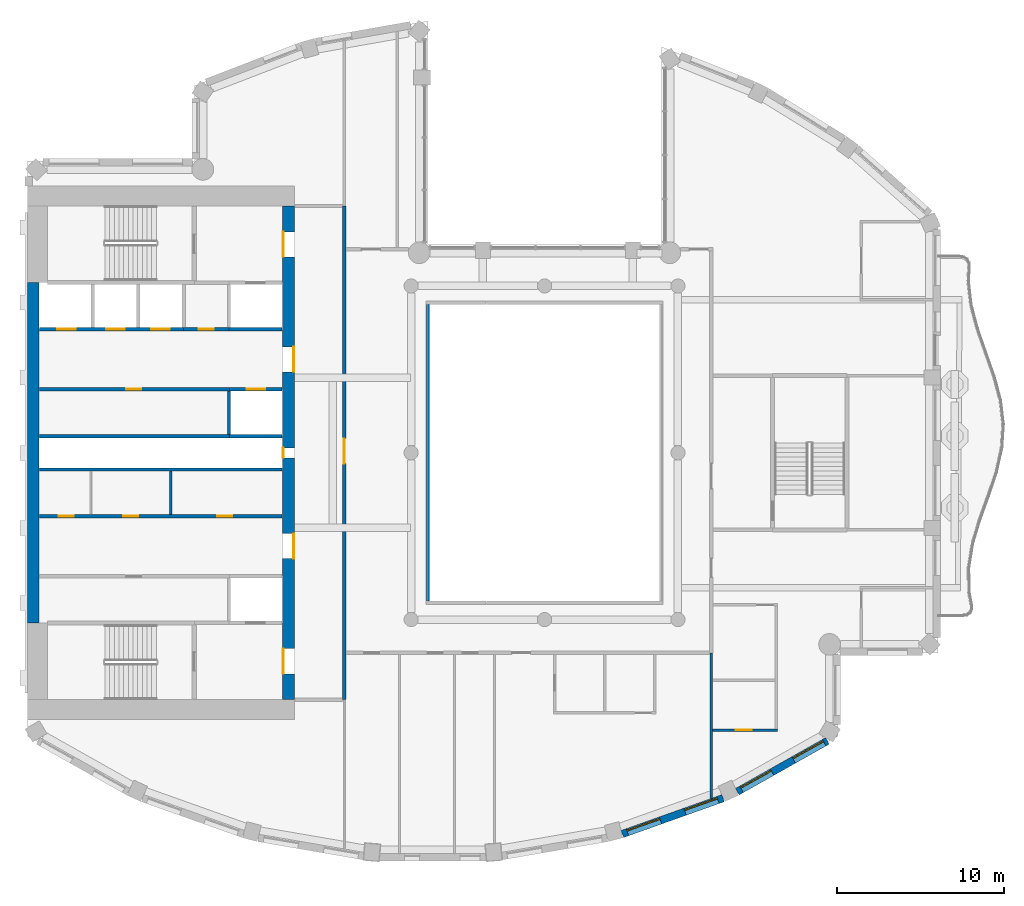
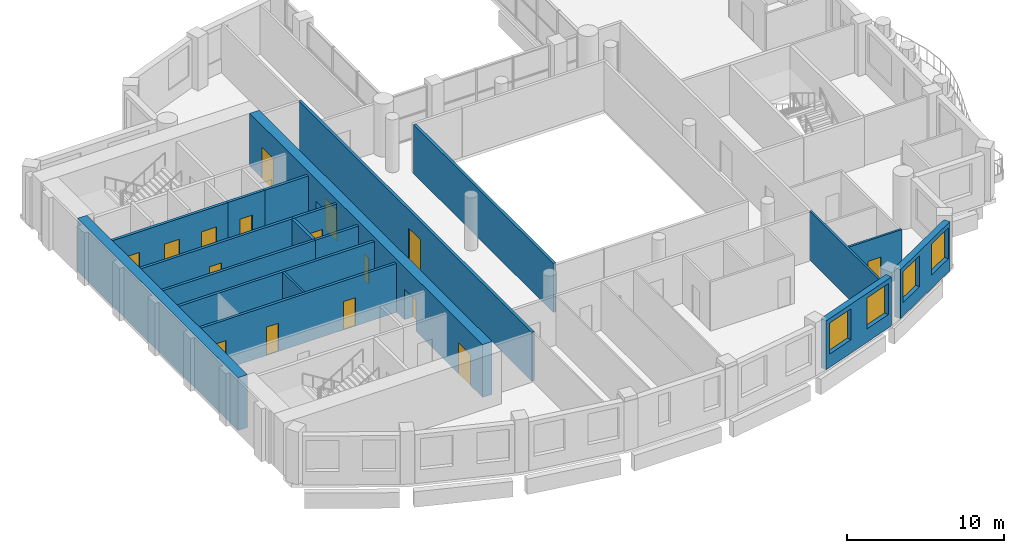
# One storey, part 5 of 14: 19 walls, 16 doors, 4 windows, 20 openings.
"""IFC4 building model written with IfcOpenShell, lengths in metres."""

from ifc_helpers import new_model, si_unit, direction, frame, frame_2d, origin, place, context, subcontext, project, spatial, rectangle, extrude, material, layer, layer_set, type_object, element, fill, save


model = new_model("IFC4")

# Units and contexts
model_context = context("Model", 3, precision=1e-05, world=origin(), true_north=direction((0.0, 1.0)))
body_context = subcontext(model_context, "Body", "Model", "MODEL_VIEW")
ifc_project = project(units=[si_unit("LENGTHUNIT", "METRE"), si_unit("AREAUNIT", "SQUARE_METRE"), si_unit("VOLUMEUNIT", "CUBIC_METRE"), si_unit("PLANEANGLEUNIT", "RADIAN"), si_unit("MASSUNIT", "GRAM", prefix="KILO")], contexts=[model_context])

# Site, building, storey
site_placement = place(None, origin())
site = spatial("IfcSite", under=ifc_project, at=site_placement, CompositionType="ELEMENT")
building_placement = place(site_placement, origin())
building = spatial("IfcBuilding", under=site, at=building_placement, Name="Cypress Arch Tower", CompositionType="ELEMENT")
storey_placement = place(building_placement, frame((0.0, 0.0, 280.300048828125)))
storey = spatial("IfcBuildingStorey", under=building, at=storey_placement, Name="L63", CompositionType="ELEMENT", Elevation=280.300048828125)

# Wall, openings, windows
ifc_material_1 = material(Name="Brick (red buff blend)", Category="masonry")
ifc_layer_1 = layer(ifc_material_1, 0.449951171875)
ifc_layer_set_1 = layer_set([ifc_layer_1], Name="Brick pier and spandrel wall BW450")
wall_type_1 = type_object("IfcWallType", Name="Brick pier and spandrel wall BW450", PredefinedType="SOLIDWALL", material=ifc_layer_set_1)
wall_1_placement = place(storey_placement, frame((5.66455078125, -22.859375, 0.0), z_axis=(0.0, 0.0, 1.0), x_axis=(0.942108340262, 0.335308626803, 0.0)))
wall_1 = element("IfcWall", 1, at=wall_1_placement, inside=storey, type_object=wall_type_1, Name="Brick wall L63 C13.0", PredefinedType="SOLIDWALL", context=body_context, shape_type="SweptSolid", body=[
    extrude(rectangle(XDim=6.41162109375, YDim=0.449951171875, at=frame_2d((3.205810546875, 0.0))), origin(), (0.0, 0.0, 1.0), 3.800048828125),
])
opening_1_placement = place(wall_1_placement, frame((0.3271484375, 0.0, 1.050048828125)))
opening_1 = element("IfcOpeningElement", 2, at=opening_1_placement, cuts=wall_1, Name="Opening W210O", PredefinedType="OPENING", context=body_context, shape_type="SweptSolid", body=[
    extrude(rectangle(XDim=2.10009765625, YDim=2.39990234375, at=frame_2d((1.050048828125, 1.199951171875))), frame((0.0, 0.23486328125, 0.0), z_axis=(0.0, -1.0, 0.0), x_axis=(1.0, 0.0, 0.0)), (0.0, 0.0, 1.0), 0.469970703125),
])
opening_2_placement = place(wall_1_placement, frame((3.984619140625, 0.0, 1.050048828125)))
opening_2 = element("IfcOpeningElement", 3, at=opening_2_placement, cuts=wall_1, Name="Opening W210O", PredefinedType="OPENING", context=body_context, shape_type="SweptSolid", body=[
    extrude(rectangle(XDim=2.10009765625, YDim=2.39990234375, at=frame_2d((1.050048828125, 1.199951171875))), frame((0.0, 0.23486328125, 0.0), z_axis=(0.0, -1.0, 0.0), x_axis=(1.0, 0.0, 0.0)), (0.0, 0.0, 1.0), 0.469970703125),
])
ifc_material_2 = material(Name="Anodised aluminium, bronze finish, clear low-emissivity double glazing", Category="aluminium")
window_type = type_object("IfcWindowType", Name="Window Office 2100x2400", PartitioningType="SINGLE_PANEL", PredefinedType="WINDOW", material=ifc_material_2)
window_1_placement = place(opening_1_placement, origin())
window_1 = element("IfcWindow", 4, at=window_1_placement, inside=storey, type_object=window_type, Name="Window L63 C13.0.1", OverallHeight=2.39990234375, OverallWidth=2.10009765625, PartitioningType="SINGLE_PANEL", PredefinedType="WINDOW", context=body_context, shape_type="SweptSolid", body=[
    extrude(rectangle(XDim=2.10009765625, YDim=2.39990234375, at=frame_2d((1.050048828125, 1.199951171875))), frame((0.0, 0.135009765625, 0.0), z_axis=(0.0, -1.0, 0.0), x_axis=(1.0, 0.0, 0.0)), (0.0, 0.0, 1.0), 0.06005859375),
])
fill(opening_1, window_1)
window_2_placement = place(opening_2_placement, origin())
window_2 = element("IfcWindow", 5, at=window_2_placement, inside=storey, type_object=window_type, Name="Window L63 C13.0.2", OverallHeight=2.39990234375, OverallWidth=2.10009765625, PartitioningType="SINGLE_PANEL", PredefinedType="WINDOW", context=body_context, shape_type="SweptSolid", body=[
    extrude(rectangle(XDim=2.10009765625, YDim=2.39990234375, at=frame_2d((1.050048828125, 1.199951171875))), frame((0.0, 0.135009765625, 0.0), z_axis=(0.0, -1.0, 0.0), x_axis=(1.0, 0.0, 0.0)), (0.0, 0.0, 1.0), 0.06005859375),
])
fill(opening_2, window_2)

wall_2_placement = place(storey_placement, frame((12.55908203125, -20.320068359375, 0.0), z_axis=(0.0, 0.0, 1.0), x_axis=(0.871065783524, 0.491166367714, 0.0)))
wall_2 = element("IfcWall", 6, at=wall_2_placement, inside=storey, type_object=wall_type_1, Name="Brick wall L63 C14.0", PredefinedType="SOLIDWALL", context=body_context, shape_type="SweptSolid", body=[
    extrude(rectangle(XDim=6.1962890625, YDim=0.449951171875, at=frame_2d((3.09814453125, 0.0))), origin(), (0.0, 0.0, 1.0), 3.800048828125),
])
opening_3_placement = place(wall_2_placement, frame((0.29052734375, 0.0, 1.050048828125)))
opening_3 = element("IfcOpeningElement", 7, at=opening_3_placement, cuts=wall_2, Name="Opening W210O", PredefinedType="OPENING", context=body_context, shape_type="SweptSolid", body=[
    extrude(rectangle(XDim=2.10009765625, YDim=2.39990234375, at=frame_2d((1.050048828125, 1.199951171875))), frame((0.0, 0.23486328125, 0.0), z_axis=(0.0, -1.0, 0.0), x_axis=(1.0, 0.0, 0.0)), (0.0, 0.0, 1.0), 0.469970703125),
])
opening_4_placement = place(wall_2_placement, frame((3.875244140625, 0.0, 1.050048828125)))
opening_4 = element("IfcOpeningElement", 8, at=opening_4_placement, cuts=wall_2, Name="Opening W210O", PredefinedType="OPENING", context=body_context, shape_type="SweptSolid", body=[
    extrude(rectangle(XDim=2.10009765625, YDim=2.39990234375, at=frame_2d((1.050048828125, 1.199951171875))), frame((0.0, 0.23486328125, 0.0), z_axis=(0.0, -1.0, 0.0), x_axis=(1.0, 0.0, 0.0)), (0.0, 0.0, 1.0), 0.469970703125),
])
window_3_placement = place(opening_3_placement, origin())
window_3 = element("IfcWindow", 9, at=window_3_placement, inside=storey, type_object=window_type, Name="Window L63 C14.0.1", OverallHeight=2.39990234375, OverallWidth=2.10009765625, PartitioningType="SINGLE_PANEL", PredefinedType="WINDOW", context=body_context, shape_type="SweptSolid", body=[
    extrude(rectangle(XDim=2.10009765625, YDim=2.39990234375, at=frame_2d((1.050048828125, 1.199951171875))), frame((0.0, 0.135009765625, 0.0), z_axis=(0.0, -1.0, 0.0), x_axis=(1.0, 0.0, 0.0)), (0.0, 0.0, 1.0), 0.06005859375),
])
fill(opening_3, window_3)
window_4_placement = place(opening_4_placement, origin())
window_4 = element("IfcWindow", 10, at=window_4_placement, inside=storey, type_object=window_type, Name="Window L63 C14.0.2", OverallHeight=2.39990234375, OverallWidth=2.10009765625, PartitioningType="SINGLE_PANEL", PredefinedType="WINDOW", context=body_context, shape_type="SweptSolid", body=[
    extrude(rectangle(XDim=2.10009765625, YDim=2.39990234375, at=frame_2d((1.050048828125, 1.199951171875))), frame((0.0, 0.135009765625, 0.0), z_axis=(0.0, -1.0, 0.0), x_axis=(1.0, 0.0, 0.0)), (0.0, 0.0, 1.0), 0.06005859375),
])
fill(opening_4, window_4)

# Wall, openings, doors
ifc_material_3 = material(Name="Concrete C60/75", Category="concrete")
ifc_layer_2 = layer(ifc_material_3, 0.699951171875)
ifc_layer_set_2 = layer_set([ifc_layer_2], Name="Core wall CW700 C60/75")
wall_type_2 = type_object("IfcWallType", Name="Core wall CW700 C60/75", PredefinedType="SHEAR", material=ifc_layer_set_2)
wall_3_placement = place(storey_placement, frame((-14.35009765625, -14.800048828125, 0.0), z_axis=(0.0, 0.0, 1.0), x_axis=(0.0, 1.0, 0.0)))
wall_3 = element("IfcWall", 11, at=wall_3_placement, inside=storey, type_object=wall_type_2, Name="Core wall", PredefinedType="SHEAR", context=body_context, shape_type="SweptSolid", body=[
    extrude(rectangle(XDim=29.60009765625, YDim=0.699951171875, at=frame_2d((14.800048828125, 0.0))), origin(), (0.0, 0.0, 1.0), 4.099853515625),
])
opening_5_placement = place(wall_3_placement, frame((1.550048828125, 0.0, 0.0)))
opening_5 = element("IfcOpeningElement", 12, at=opening_5_placement, cuts=wall_3, Name="Opening D07", PredefinedType="OPENING", context=body_context, shape_type="SweptSolid", body=[
    extrude(rectangle(XDim=1.5, YDim=2.39990234375, at=frame_2d((0.75, 1.199951171875))), frame((0.0, 0.35986328125, 0.0), z_axis=(0.0, -1.0, 0.0), x_axis=(1.0, 0.0, 0.0)), (0.0, 0.0, 1.0), 0.719970703125),
])
opening_6_placement = place(wall_3_placement, frame((26.550048828125, 0.0, 0.0)))
opening_6 = element("IfcOpeningElement", 13, at=opening_6_placement, cuts=wall_3, Name="Opening D07", PredefinedType="OPENING", context=body_context, shape_type="SweptSolid", body=[
    extrude(rectangle(XDim=1.5, YDim=2.39990234375, at=frame_2d((0.75, 1.199951171875))), frame((0.0, 0.35986328125, 0.0), z_axis=(0.0, -1.0, 0.0), x_axis=(1.0, 0.0, 0.0)), (0.0, 0.0, 1.0), 0.719970703125),
])
opening_7_placement = place(wall_3_placement, frame((8.449951171875, 0.0, 0.0)))
opening_7 = element("IfcOpeningElement", 14, at=opening_7_placement, cuts=wall_3, Name="Opening D07", PredefinedType="OPENING", context=body_context, shape_type="SweptSolid", body=[
    extrude(rectangle(XDim=1.5, YDim=2.39990234375, at=frame_2d((0.75, 1.199951171875))), frame((0.0, 0.35986328125, 0.0), z_axis=(0.0, -1.0, 0.0), x_axis=(1.0, 0.0, 0.0)), (0.0, 0.0, 1.0), 0.719970703125),
])
opening_8_placement = place(wall_3_placement, frame((19.64990234375, 0.0, 0.0)))
opening_8 = element("IfcOpeningElement", 15, at=opening_8_placement, cuts=wall_3, Name="Opening D07", PredefinedType="OPENING", context=body_context, shape_type="SweptSolid", body=[
    extrude(rectangle(XDim=1.5, YDim=2.39990234375, at=frame_2d((0.75, 1.199951171875))), frame((0.0, 0.35986328125, 0.0), z_axis=(0.0, -1.0, 0.0), x_axis=(1.0, 0.0, 0.0)), (0.0, 0.0, 1.0), 0.719970703125),
])
opening_9_placement = place(wall_3_placement, frame((14.5, 0.0, 0.0)))
opening_9 = element("IfcOpeningElement", 16, at=opening_9_placement, cuts=wall_3, Name="Opening D08", PredefinedType="OPENING", context=body_context, shape_type="SweptSolid", body=[
    extrude(rectangle(XDim=0.60009765625, YDim=2.0, at=frame_2d((0.300048828125, 1.0))), frame((0.0, 0.35986328125, 0.0), z_axis=(0.0, -1.0, 0.0), x_axis=(1.0, 0.0, 0.0)), (0.0, 0.0, 1.0), 0.719970703125),
])
ifc_material_4 = material(Name="Steel framed glazed door, fire resisting", Category="steel")
door_type_1 = type_object("IfcDoorType", Name="Lobby door D07 1500x2400", OperationType="DOUBLE_DOOR_SINGLE_SWING", PredefinedType="DOOR", material=ifc_material_4)
door_1_placement = place(opening_5_placement, origin())
door_1 = element("IfcDoor", 17, at=door_1_placement, inside=storey, type_object=door_type_1, Name="Lobby door", OperationType="DOUBLE_DOOR_SINGLE_SWING", OverallHeight=2.39990234375, OverallWidth=1.5, PredefinedType="DOOR", context=body_context, shape_type="SweptSolid", body=[
    extrude(rectangle(XDim=1.5, YDim=2.39990234375, at=frame_2d((0.75, 1.199951171875))), frame((0.0, 0.34521484375, 0.0), z_axis=(0.0, -1.0, 0.0), x_axis=(1.0, 0.0, 0.0)), (0.0, 0.0, 1.0), 0.050048828125),
])
fill(opening_5, door_1)
door_2_placement = place(opening_6_placement, origin())
door_2 = element("IfcDoor", 18, at=door_2_placement, inside=storey, type_object=door_type_1, Name="Lobby door", OperationType="DOUBLE_DOOR_SINGLE_SWING", OverallHeight=2.39990234375, OverallWidth=1.5, PredefinedType="DOOR", context=body_context, shape_type="SweptSolid", body=[
    extrude(rectangle(XDim=1.5, YDim=2.39990234375, at=frame_2d((0.75, 1.199951171875))), frame((0.0, 0.34521484375, 0.0), z_axis=(0.0, -1.0, 0.0), x_axis=(1.0, 0.0, 0.0)), (0.0, 0.0, 1.0), 0.050048828125),
])
fill(opening_6, door_2)
door_3_placement = place(opening_7_placement, origin())
door_3 = element("IfcDoor", 19, at=door_3_placement, inside=storey, type_object=door_type_1, Name="Lobby door", OperationType="DOUBLE_DOOR_SINGLE_SWING", OverallHeight=2.39990234375, OverallWidth=1.5, PredefinedType="DOOR", context=body_context, shape_type="SweptSolid", body=[
    extrude(rectangle(XDim=1.5, YDim=2.39990234375, at=frame_2d((0.75, 1.199951171875))), frame((0.0, -0.294921875, 0.0), z_axis=(0.0, -1.0, 0.0), x_axis=(1.0, 0.0, 0.0)), (0.0, 0.0, 1.0), 0.050048828125),
])
fill(opening_7, door_3)
door_4_placement = place(opening_8_placement, origin())
door_4 = element("IfcDoor", 20, at=door_4_placement, inside=storey, type_object=door_type_1, Name="Lobby door", OperationType="DOUBLE_DOOR_SINGLE_SWING", OverallHeight=2.39990234375, OverallWidth=1.5, PredefinedType="DOOR", context=body_context, shape_type="SweptSolid", body=[
    extrude(rectangle(XDim=1.5, YDim=2.39990234375, at=frame_2d((0.75, 1.199951171875))), frame((0.0, -0.294921875, 0.0), z_axis=(0.0, -1.0, 0.0), x_axis=(1.0, 0.0, 0.0)), (0.0, 0.0, 1.0), 0.050048828125),
])
fill(opening_8, door_4)
ifc_material_5 = material(Name="Steel access door, fire resisting", Category="steel")
door_type_2 = type_object("IfcDoorType", Name="Riser access door D08 600x2000", OperationType="SINGLE_SWING_LEFT", PredefinedType="DOOR", material=ifc_material_5)
door_5_placement = place(opening_9_placement, origin())
door_5 = element("IfcDoor", 21, at=door_5_placement, inside=storey, type_object=door_type_2, Name="Riser access door", OperationType="SINGLE_SWING_RIGHT", OverallHeight=2.0, OverallWidth=0.60009765625, PredefinedType="DOOR", context=body_context, shape_type="SweptSolid", body=[
    extrude(rectangle(XDim=0.60009765625, YDim=2.0, at=frame_2d((0.300048828125, 1.0))), frame((0.0, 0.34521484375, 0.0), z_axis=(0.0, -1.0, 0.0), x_axis=(1.0, 0.0, 0.0)), (0.0, 0.0, 1.0), 0.050048828125),
])
fill(opening_9, door_5)

# Wall
wall_4_placement = place(storey_placement, frame((-29.64990234375, -10.199951171875, 0.0), z_axis=(0.0, 0.0, 1.0), x_axis=(0.0, 1.0, 0.0)))
element("IfcWall", 22, at=wall_4_placement, inside=storey, type_object=wall_type_2, Name="Core wall", PredefinedType="SHEAR", context=body_context, shape_type="SweptSolid", body=[
    extrude(rectangle(XDim=20.39990234375, YDim=0.699951171875, at=frame_2d((10.199951171875, 0.0))), origin(), (0.0, 0.0, 1.0), 4.099853515625),
])

# Wall, openings, doors
ifc_material_6 = material(Name="Concrete blockwork, plastered, rated", Category="masonry")
ifc_layer_3 = layer(ifc_material_6, 0.199951171875)
ifc_layer_set_3 = layer_set([ifc_layer_3], Name="Corridor wall FW200")
wall_type_3 = type_object("IfcWallType", Name="Corridor wall FW200", PredefinedType="PARTITIONING", material=ifc_layer_set_3)
wall_5_placement = place(storey_placement, frame((-29.27001953125, -3.800048828125, 0.0), z_axis=(0.0, 0.0, 1.0), x_axis=(1.0, 0.0, 0.0)))
wall_5 = element("IfcWall", 23, at=wall_5_placement, inside=storey, type_object=wall_type_3, Name="Corridor wall", PredefinedType="PARTITIONING", context=body_context, shape_type="SweptSolid", body=[
    extrude(rectangle(XDim=14.5400390625, YDim=0.199951171875, at=frame_2d((7.27001953125, 0.0))), origin(), (0.0, 0.0, 1.0), 3.800048828125),
])
opening_10_placement = place(wall_5_placement, frame((1.14990234375, 0.0, 0.0)))
opening_10 = element("IfcOpeningElement", 24, at=opening_10_placement, cuts=wall_5, Name="Opening D05", PredefinedType="OPENING", context=body_context, shape_type="SweptSolid", body=[
    extrude(rectangle(XDim=0.89990234375, YDim=2.199951171875, at=frame_2d((0.449951171875, 1.10009765625))), frame((0.0, 0.10986328125, 0.0), z_axis=(0.0, -1.0, 0.0), x_axis=(1.0, 0.0, 0.0)), (0.0, 0.0, 1.0), 0.219970703125),
])
opening_11_placement = place(wall_5_placement, frame((5.0, 0.0, 0.0)))
opening_11 = element("IfcOpeningElement", 25, at=opening_11_placement, cuts=wall_5, Name="Opening D05", PredefinedType="OPENING", context=body_context, shape_type="SweptSolid", body=[
    extrude(rectangle(XDim=0.89990234375, YDim=2.199951171875, at=frame_2d((0.449951171875, 1.10009765625))), frame((0.0, 0.10986328125, 0.0), z_axis=(0.0, -1.0, 0.0), x_axis=(1.0, 0.0, 0.0)), (0.0, 0.0, 1.0), 0.219970703125),
])
opening_12_placement = place(wall_5_placement, frame((10.64990234375, 0.0, 0.0)))
opening_12 = element("IfcOpeningElement", 26, at=opening_12_placement, cuts=wall_5, Name="Opening D05", PredefinedType="OPENING", context=body_context, shape_type="SweptSolid", body=[
    extrude(rectangle(XDim=0.89990234375, YDim=2.199951171875, at=frame_2d((0.449951171875, 1.10009765625))), frame((0.0, 0.10986328125, 0.0), z_axis=(0.0, -1.0, 0.0), x_axis=(1.0, 0.0, 0.0)), (0.0, 0.0, 1.0), 0.219970703125),
])
ifc_material_7 = material(Name="Timber flush door", Category="wood")
door_type_3 = type_object("IfcDoorType", Name="Service door D05 900x2200", OperationType="SINGLE_SWING_LEFT", PredefinedType="DOOR", material=ifc_material_7)
door_6_placement = place(opening_10_placement, origin())
door_6 = element("IfcDoor", 27, at=door_6_placement, inside=storey, type_object=door_type_3, Name="Service door", OperationType="SINGLE_SWING_RIGHT", OverallHeight=2.199951171875, OverallWidth=0.89990234375, PredefinedType="DOOR", context=body_context, shape_type="SweptSolid", body=[
    extrude(rectangle(XDim=0.89990234375, YDim=2.199951171875, at=frame_2d((0.449951171875, 1.10009765625))), frame((0.0, 0.02490234375, 0.0), z_axis=(0.0, -1.0, 0.0), x_axis=(1.0, 0.0, 0.0)), (0.0, 0.0, 1.0), 0.050048828125),
])
fill(opening_10, door_6)
door_7_placement = place(opening_11_placement, origin())
door_7 = element("IfcDoor", 28, at=door_7_placement, inside=storey, type_object=door_type_3, Name="Service door", OperationType="SINGLE_SWING_LEFT", OverallHeight=2.199951171875, OverallWidth=0.89990234375, PredefinedType="DOOR", context=body_context, shape_type="SweptSolid", body=[
    extrude(rectangle(XDim=0.89990234375, YDim=2.199951171875, at=frame_2d((0.449951171875, 1.10009765625))), frame((0.0, 0.02490234375, 0.0), z_axis=(0.0, -1.0, 0.0), x_axis=(1.0, 0.0, 0.0)), (0.0, 0.0, 1.0), 0.050048828125),
])
fill(opening_11, door_7)
door_8_placement = place(opening_12_placement, origin())
door_8 = element("IfcDoor", 29, at=door_8_placement, inside=storey, type_object=door_type_3, Name="Service door", OperationType="SINGLE_SWING_LEFT", OverallHeight=2.199951171875, OverallWidth=0.89990234375, PredefinedType="DOOR", context=body_context, shape_type="SweptSolid", body=[
    extrude(rectangle(XDim=0.89990234375, YDim=2.199951171875, at=frame_2d((0.449951171875, 1.10009765625))), frame((0.0, 0.02490234375, 0.0), z_axis=(0.0, -1.0, 0.0), x_axis=(1.0, 0.0, 0.0)), (0.0, 0.0, 1.0), 0.050048828125),
])
fill(opening_12, door_8)

# Wall, opening, door
wall_6_placement = place(storey_placement, frame((-20.639892578125, 7.39990234375, 0.0), z_axis=(0.0, 0.0, 1.0), x_axis=(1.0, 0.0, 0.0)))
wall_6 = element("IfcWall", 30, at=wall_6_placement, inside=storey, type_object=wall_type_3, Name="Corridor wall", PredefinedType="PARTITIONING", context=body_context, shape_type="SweptSolid", body=[
    extrude(rectangle(XDim=2.719970703125, YDim=0.199951171875, at=frame_2d((1.35986328125, 0.0))), origin(), (0.0, 0.0, 1.0), 3.800048828125),
])
opening_13_placement = place(wall_6_placement, frame((0.89990234375, 0.0, 0.0)))
opening_13 = element("IfcOpeningElement", 31, at=opening_13_placement, cuts=wall_6, Name="Opening D05", PredefinedType="OPENING", context=body_context, shape_type="SweptSolid", body=[
    extrude(rectangle(XDim=0.89990234375, YDim=2.199951171875, at=frame_2d((0.449951171875, 1.10009765625))), frame((0.0, 0.10986328125, 0.0), z_axis=(0.0, -1.0, 0.0), x_axis=(1.0, 0.0, 0.0)), (0.0, 0.0, 1.0), 0.219970703125),
])
door_9_placement = place(opening_13_placement, origin())
door_9 = element("IfcDoor", 32, at=door_9_placement, inside=storey, type_object=door_type_3, Name="Service door", OperationType="SINGLE_SWING_LEFT", OverallHeight=2.199951171875, OverallWidth=0.89990234375, PredefinedType="DOOR", context=body_context, shape_type="SweptSolid", body=[
    extrude(rectangle(XDim=0.89990234375, YDim=2.199951171875, at=frame_2d((0.449951171875, 1.10009765625))), frame((0.0, 0.02490234375, 0.0), z_axis=(0.0, -1.0, 0.0), x_axis=(1.0, 0.0, 0.0)), (0.0, 0.0, 1.0), 0.050048828125),
])
fill(opening_13, door_9)

wall_7_placement = place(storey_placement, frame((-11.0, -14.800048828125, 0.0), z_axis=(0.0, 0.0, 1.0), x_axis=(0.0, 1.0, 0.0)))
wall_7 = element("IfcWall", 33, at=wall_7_placement, inside=storey, type_object=wall_type_3, Name="Corridor wall", PredefinedType="PARTITIONING", context=body_context, shape_type="SweptSolid", body=[
    extrude(rectangle(XDim=29.60009765625, YDim=0.199951171875, at=frame_2d((14.800048828125, 0.0))), origin(), (0.0, 0.0, 1.0), 3.800048828125),
])
opening_14_placement = place(wall_7_placement, frame((14.14990234375, 0.0, 0.0)))
opening_14 = element("IfcOpeningElement", 34, at=opening_14_placement, cuts=wall_7, Name="Opening D07", PredefinedType="OPENING", context=body_context, shape_type="SweptSolid", body=[
    extrude(rectangle(XDim=1.5, YDim=2.39990234375, at=frame_2d((0.75, 1.199951171875))), frame((0.0, 0.10986328125, 0.0), z_axis=(0.0, -1.0, 0.0), x_axis=(1.0, 0.0, 0.0)), (0.0, 0.0, 1.0), 0.219970703125),
])
door_10_placement = place(opening_14_placement, origin())
door_10 = element("IfcDoor", 35, at=door_10_placement, inside=storey, type_object=door_type_1, Name="Lobby door", OperationType="DOUBLE_DOOR_SINGLE_SWING", OverallHeight=2.39990234375, OverallWidth=1.5, PredefinedType="DOOR", context=body_context, shape_type="SweptSolid", body=[
    extrude(rectangle(XDim=1.5, YDim=2.39990234375, at=frame_2d((0.75, 1.199951171875))), frame((0.0, 0.02490234375, 0.0), z_axis=(0.0, -1.0, 0.0), x_axis=(1.0, 0.0, 0.0)), (0.0, 0.0, 1.0), 0.050048828125),
])
fill(opening_14, door_10)

# Walls
wall_8_placement = place(storey_placement, frame((-6.0, -8.89990234375, 0.0), z_axis=(0.0, 0.0, 1.0), x_axis=(0.0, 1.0, 0.0)))
element("IfcWall", 36, at=wall_8_placement, inside=storey, type_object=wall_type_3, Name="Corridor wall", PredefinedType="PARTITIONING", context=body_context, shape_type="SweptSolid", body=[
    extrude(rectangle(XDim=17.7998046875, YDim=0.199951171875, at=frame_2d((8.89990234375, 0.0))), origin(), (0.0, 0.0, 1.0), 3.800048828125),
])
ifc_material_8 = material(Name="Blockwork, plastered both sides", Category="masonry")
ifc_layer_4 = layer(ifc_material_8, 0.14990234375)
ifc_layer_set_4 = layer_set([ifc_layer_4], Name="Partition PW150")
wall_type_4 = type_object("IfcWallType", Name="Partition PW150", PredefinedType="PARTITIONING", material=ifc_layer_set_4)
wall_9_placement = place(storey_placement, frame((-21.39990234375, -3.699951171875, 0.0), z_axis=(0.0, 0.0, 1.0), x_axis=(0.0, 1.0, 0.0)))
element("IfcWall", 37, at=wall_9_placement, inside=storey, type_object=wall_type_4, Name="Partition", PredefinedType="PARTITIONING", context=body_context, shape_type="SweptSolid", body=[
    extrude(rectangle(XDim=2.599853515625, YDim=0.14990234375, at=frame_2d((1.2998046875, 0.0))), origin(), (0.0, 0.0, 1.0), 3.800048828125),
])
wall_10_placement = place(storey_placement, frame((11.0, -20.721435546875, 0.0), z_axis=(0.0, 0.0, 1.0), x_axis=(0.0, 1.0, 0.0)))
element("IfcWall", 38, at=wall_10_placement, inside=storey, type_object=wall_type_4, Name="Partition", PredefinedType="PARTITIONING", context=body_context, shape_type="SweptSolid", body=[
    extrude(rectangle(XDim=8.721435546875, YDim=0.14990234375, at=frame_2d((4.36083984375, 0.0))), origin(), (0.0, 0.0, 1.0), 3.800048828125),
])

# Wall, opening, door
wall_11_placement = place(storey_placement, frame((11.074951171875, -16.625, 0.0), z_axis=(0.0, 0.0, 1.0), x_axis=(1.0, 0.0, 0.0)))
wall_11 = element("IfcWall", 39, at=wall_11_placement, inside=storey, type_object=wall_type_4, Name="Partition", PredefinedType="PARTITIONING", context=body_context, shape_type="SweptSolid", body=[
    extrude(rectangle(XDim=3.900146484375, YDim=0.14990234375, at=frame_2d((1.9501953125, 0.0))), origin(), (0.0, 0.0, 1.0), 3.800048828125),
])
opening_15_placement = place(wall_11_placement, frame((1.39990234375, 0.0, 0.0)))
opening_15 = element("IfcOpeningElement", 40, at=opening_15_placement, cuts=wall_11, Name="Opening D12", PredefinedType="OPENING", context=body_context, shape_type="SweptSolid", body=[
    extrude(rectangle(XDim=0.949951171875, YDim=2.199951171875, at=frame_2d((0.47509765625, 1.10009765625))), frame((0.0, 0.0849609375, 0.0), z_axis=(0.0, -1.0, 0.0), x_axis=(1.0, 0.0, 0.0)), (0.0, 0.0, 1.0), 0.169921875),
])
ifc_material_9 = material(Name="Timber flush door", Category="wood")
door_type_4 = type_object("IfcDoorType", Name="Room door D12 950x2200", OperationType="SINGLE_SWING_LEFT", PredefinedType="DOOR", material=ifc_material_9)
door_11_placement = place(opening_15_placement, origin())
door_11 = element("IfcDoor", 41, at=door_11_placement, inside=storey, type_object=door_type_4, Name="Room door", OperationType="SINGLE_SWING_RIGHT", OverallHeight=2.199951171875, OverallWidth=0.949951171875, PredefinedType="DOOR", context=body_context, shape_type="SweptSolid", body=[
    extrude(rectangle(XDim=0.949951171875, YDim=2.199951171875, at=frame_2d((0.47509765625, 1.10009765625))), frame((0.0, 0.02490234375, 0.0), z_axis=(0.0, -1.0, 0.0), x_axis=(1.0, 0.0, 0.0)), (0.0, 0.0, 1.0), 0.050048828125),
])
fill(opening_15, door_11)

# Walls
ifc_material_10 = material(Name="Reinforced blockwork, plastered, rated", Category="masonry")
ifc_layer_5 = layer(ifc_material_10, 0.199951171875)
ifc_layer_set_5 = layer_set([ifc_layer_5], Name="Plant and riser wall PL200")
wall_type_5 = type_object("IfcWallType", Name="Plant and riser wall PL200", PredefinedType="PARTITIONING", material=ifc_layer_set_5)
wall_12_placement = place(storey_placement, frame((-29.27001953125, -1.0, 0.0), z_axis=(0.0, 0.0, 1.0), x_axis=(1.0, 0.0, 0.0)))
element("IfcWall", 42, at=wall_12_placement, inside=storey, type_object=wall_type_5, Name="Plant and riser wall", PredefinedType="PARTITIONING", context=body_context, shape_type="SweptSolid", body=[
    extrude(rectangle(XDim=14.5400390625, YDim=0.199951171875, at=frame_2d((7.27001953125, 0.0))), origin(), (0.0, 0.0, 1.0), 3.800048828125),
])
wall_13_placement = place(storey_placement, frame((-29.27001953125, 1.0, 0.0), z_axis=(0.0, 0.0, 1.0), x_axis=(1.0, 0.0, 0.0)))
element("IfcWall", 43, at=wall_13_placement, inside=storey, type_object=wall_type_5, Name="Plant and riser wall", PredefinedType="PARTITIONING", context=body_context, shape_type="SweptSolid", body=[
    extrude(rectangle(XDim=11.3701171875, YDim=0.199951171875, at=frame_2d((5.68505859375, 0.0))), origin(), (0.0, 0.0, 1.0), 3.800048828125),
])

# Wall, opening, door
wall_14_placement = place(storey_placement, frame((-29.27001953125, 3.800048828125, 0.0), z_axis=(0.0, 0.0, 1.0), x_axis=(1.0, 0.0, 0.0)))
wall_14 = element("IfcWall", 44, at=wall_14_placement, inside=storey, type_object=wall_type_5, Name="Plant and riser wall", PredefinedType="PARTITIONING", context=body_context, shape_type="SweptSolid", body=[
    extrude(rectangle(XDim=11.3701171875, YDim=0.199951171875, at=frame_2d((5.68505859375, 0.0))), origin(), (0.0, 0.0, 1.0), 3.800048828125),
])
opening_16_placement = place(wall_14_placement, frame((5.199951171875, 0.0, 0.0)))
opening_16 = element("IfcOpeningElement", 45, at=opening_16_placement, cuts=wall_14, Name="Opening D05", PredefinedType="OPENING", context=body_context, shape_type="SweptSolid", body=[
    extrude(rectangle(XDim=0.89990234375, YDim=2.199951171875, at=frame_2d((0.449951171875, 1.10009765625))), frame((0.0, 0.10986328125, 0.0), z_axis=(0.0, -1.0, 0.0), x_axis=(1.0, 0.0, 0.0)), (0.0, 0.0, 1.0), 0.219970703125),
])
door_12_placement = place(opening_16_placement, origin())
door_12 = element("IfcDoor", 46, at=door_12_placement, inside=storey, type_object=door_type_3, Name="Service door", OperationType="SINGLE_SWING_RIGHT", OverallHeight=2.199951171875, OverallWidth=0.89990234375, PredefinedType="DOOR", context=body_context, shape_type="SweptSolid", body=[
    extrude(rectangle(XDim=0.89990234375, YDim=2.199951171875, at=frame_2d((0.449951171875, 1.10009765625))), frame((0.0, 0.02490234375, 0.0), z_axis=(0.0, -1.0, 0.0), x_axis=(1.0, 0.0, 0.0)), (0.0, 0.0, 1.0), 0.050048828125),
])
fill(opening_16, door_12)

# Wall, openings, doors
ifc_material_11 = material(Name="Concrete C50/60", Category="concrete")
ifc_layer_6 = layer(ifc_material_11, 0.199951171875)
ifc_layer_set_6 = layer_set([ifc_layer_6], Name="Shaft wall SH200")
wall_type_6 = type_object("IfcWallType", Name="Shaft wall SH200", PredefinedType="SHEAR", material=ifc_layer_set_6)
wall_15_placement = place(storey_placement, frame((-29.27001953125, 7.39990234375, 0.0), z_axis=(0.0, 0.0, 1.0), x_axis=(1.0, 0.0, 0.0)))
wall_15 = element("IfcWall", 47, at=wall_15_placement, inside=storey, type_object=wall_type_6, Name="Shaft wall", PredefinedType="SHEAR", context=body_context, shape_type="SweptSolid", body=[
    extrude(rectangle(XDim=8.630126953125, YDim=0.199951171875, at=frame_2d((4.31494140625, 0.0))), origin(), (0.0, 0.0, 1.0), 3.800048828125),
])
opening_17_placement = place(wall_15_placement, frame((1.050048828125, 0.0, 0.0)))
opening_17 = element("IfcOpeningElement", 48, at=opening_17_placement, cuts=wall_15, Name="Opening LD-HR5", PredefinedType="OPENING", context=body_context, shape_type="SweptSolid", body=[
    extrude(rectangle(XDim=1.10009765625, YDim=2.199951171875, at=frame_2d((0.550048828125, 1.10009765625))), frame((0.0, 0.10986328125, 0.0), z_axis=(0.0, -1.0, 0.0), x_axis=(1.0, 0.0, 0.0)), (0.0, 0.0, 1.0), 0.219970703125),
])
opening_18_placement = place(wall_15_placement, frame((4.0, 0.0, 0.0)))
opening_18 = element("IfcOpeningElement", 49, at=opening_18_placement, cuts=wall_15, Name="Opening LD-HR6", PredefinedType="OPENING", context=body_context, shape_type="SweptSolid", body=[
    extrude(rectangle(XDim=1.10009765625, YDim=2.199951171875, at=frame_2d((0.550048828125, 1.10009765625))), frame((0.0, 0.10986328125, 0.0), z_axis=(0.0, -1.0, 0.0), x_axis=(1.0, 0.0, 0.0)), (0.0, 0.0, 1.0), 0.219970703125),
])
opening_19_placement = place(wall_15_placement, frame((6.699951171875, 0.0, 0.0)))
opening_19 = element("IfcOpeningElement", 50, at=opening_19_placement, cuts=wall_15, Name="Opening LD-HR7", PredefinedType="OPENING", context=body_context, shape_type="SweptSolid", body=[
    extrude(rectangle(XDim=1.10009765625, YDim=2.199951171875, at=frame_2d((0.550048828125, 1.10009765625))), frame((0.0, 0.10986328125, 0.0), z_axis=(0.0, -1.0, 0.0), x_axis=(1.0, 0.0, 0.0)), (0.0, 0.0, 1.0), 0.219970703125),
])
ifc_material_12 = material(Name="Stainless steel centre-opening landing door, rated", Category="steel")
door_type_5 = type_object("IfcDoorType", Name="Lift landing door LD 1100x2200", OperationType="DOUBLE_DOOR_SLIDING", PredefinedType="DOOR", material=ifc_material_12)
door_13_placement = place(opening_17_placement, origin())
door_13 = element("IfcDoor", 51, at=door_13_placement, inside=storey, type_object=door_type_5, Name="Lift landing doors HR5", OperationType="DOUBLE_DOOR_SLIDING", OverallHeight=2.199951171875, OverallWidth=1.10009765625, PredefinedType="DOOR", context=body_context, shape_type="SweptSolid", body=[
    extrude(rectangle(XDim=1.10009765625, YDim=2.199951171875, at=frame_2d((0.550048828125, 1.10009765625))), frame((0.0, 0.02490234375, 0.0), z_axis=(0.0, -1.0, 0.0), x_axis=(1.0, 0.0, 0.0)), (0.0, 0.0, 1.0), 0.050048828125),
])
fill(opening_17, door_13)
door_14_placement = place(opening_18_placement, origin())
door_14 = element("IfcDoor", 52, at=door_14_placement, inside=storey, type_object=door_type_5, Name="Lift landing doors HR6", OperationType="DOUBLE_DOOR_SLIDING", OverallHeight=2.199951171875, OverallWidth=1.10009765625, PredefinedType="DOOR", context=body_context, shape_type="SweptSolid", body=[
    extrude(rectangle(XDim=1.10009765625, YDim=2.199951171875, at=frame_2d((0.550048828125, 1.10009765625))), frame((0.0, 0.02490234375, 0.0), z_axis=(0.0, -1.0, 0.0), x_axis=(1.0, 0.0, 0.0)), (0.0, 0.0, 1.0), 0.050048828125),
])
fill(opening_18, door_14)
door_15_placement = place(opening_19_placement, origin())
door_15 = element("IfcDoor", 53, at=door_15_placement, inside=storey, type_object=door_type_5, Name="Lift landing doors HR7", OperationType="DOUBLE_DOOR_SLIDING", OverallHeight=2.199951171875, OverallWidth=1.10009765625, PredefinedType="DOOR", context=body_context, shape_type="SweptSolid", body=[
    extrude(rectangle(XDim=1.10009765625, YDim=2.199951171875, at=frame_2d((0.550048828125, 1.10009765625))), frame((0.0, 0.02490234375, 0.0), z_axis=(0.0, -1.0, 0.0), x_axis=(1.0, 0.0, 0.0)), (0.0, 0.0, 1.0), 0.050048828125),
])
fill(opening_19, door_15)

# Walls
wall_16_placement = place(storey_placement, frame((-17.919921875, 1.10009765625, 0.0), z_axis=(0.0, 0.0, 1.0), x_axis=(0.0, 1.0, 0.0)))
element("IfcWall", 54, at=wall_16_placement, inside=storey, type_object=wall_type_6, Name="Shaft wall", PredefinedType="SHEAR", context=body_context, shape_type="SweptSolid", body=[
    extrude(rectangle(XDim=2.599853515625, YDim=0.199951171875, at=frame_2d((1.2998046875, 0.0))), origin(), (0.0, 0.0, 1.0), 3.800048828125),
])
wall_17_placement = place(storey_placement, frame((-17.89990234375, 1.0, 0.0), z_axis=(0.0, 0.0, 1.0), x_axis=(1.0, 0.0, 0.0)))
element("IfcWall", 55, at=wall_17_placement, inside=storey, type_object=wall_type_6, Name="Shaft wall", PredefinedType="SHEAR", context=body_context, shape_type="SweptSolid", body=[
    extrude(rectangle(XDim=3.169921875, YDim=0.199951171875, at=frame_2d((1.5849609375, 0.0))), origin(), (0.0, 0.0, 1.0), 3.800048828125),
])

# Wall, opening, door
wall_18_placement = place(storey_placement, frame((-17.89990234375, 3.800048828125, 0.0), z_axis=(0.0, 0.0, 1.0), x_axis=(1.0, 0.0, 0.0)))
wall_18 = element("IfcWall", 56, at=wall_18_placement, inside=storey, type_object=wall_type_6, Name="Shaft wall", PredefinedType="SHEAR", context=body_context, shape_type="SweptSolid", body=[
    extrude(rectangle(XDim=3.169921875, YDim=0.199951171875, at=frame_2d((1.5849609375, 0.0))), origin(), (0.0, 0.0, 1.0), 3.800048828125),
])
opening_20_placement = place(wall_18_placement, frame((1.050048828125, 0.0, 0.0)))
opening_20 = element("IfcOpeningElement", 57, at=opening_20_placement, cuts=wall_18, Name="Opening LD-HR4", PredefinedType="OPENING", context=body_context, shape_type="SweptSolid", body=[
    extrude(rectangle(XDim=1.10009765625, YDim=2.199951171875, at=frame_2d((0.550048828125, 1.10009765625))), frame((0.0, 0.10986328125, 0.0), z_axis=(0.0, -1.0, 0.0), x_axis=(1.0, 0.0, 0.0)), (0.0, 0.0, 1.0), 0.219970703125),
])
door_16_placement = place(opening_20_placement, origin())
door_16 = element("IfcDoor", 58, at=door_16_placement, inside=storey, type_object=door_type_5, Name="Lift landing doors HR4", OperationType="DOUBLE_DOOR_SLIDING", OverallHeight=2.199951171875, OverallWidth=1.10009765625, PredefinedType="DOOR", context=body_context, shape_type="SweptSolid", body=[
    extrude(rectangle(XDim=1.10009765625, YDim=2.199951171875, at=frame_2d((0.550048828125, 1.10009765625))), frame((0.0, 0.02490234375, 0.0), z_axis=(0.0, -1.0, 0.0), x_axis=(1.0, 0.0, 0.0)), (0.0, 0.0, 1.0), 0.050048828125),
])
fill(opening_20, door_16)

# Wall
wall_19_placement = place(storey_placement, frame((-17.919921875, 7.39990234375, 0.0), z_axis=(0.0, 0.0, 1.0), x_axis=(1.0, 0.0, 0.0)))
element("IfcWall", 59, at=wall_19_placement, inside=storey, type_object=wall_type_6, Name="Shaft wall", PredefinedType="SHEAR", context=body_context, shape_type="SweptSolid", body=[
    extrude(rectangle(XDim=3.18994140625, YDim=0.199951171875, at=frame_2d((1.594970703125, 0.0))), origin(), (0.0, 0.0, 1.0), 3.800048828125),
])

save(model, "model.ifc")
